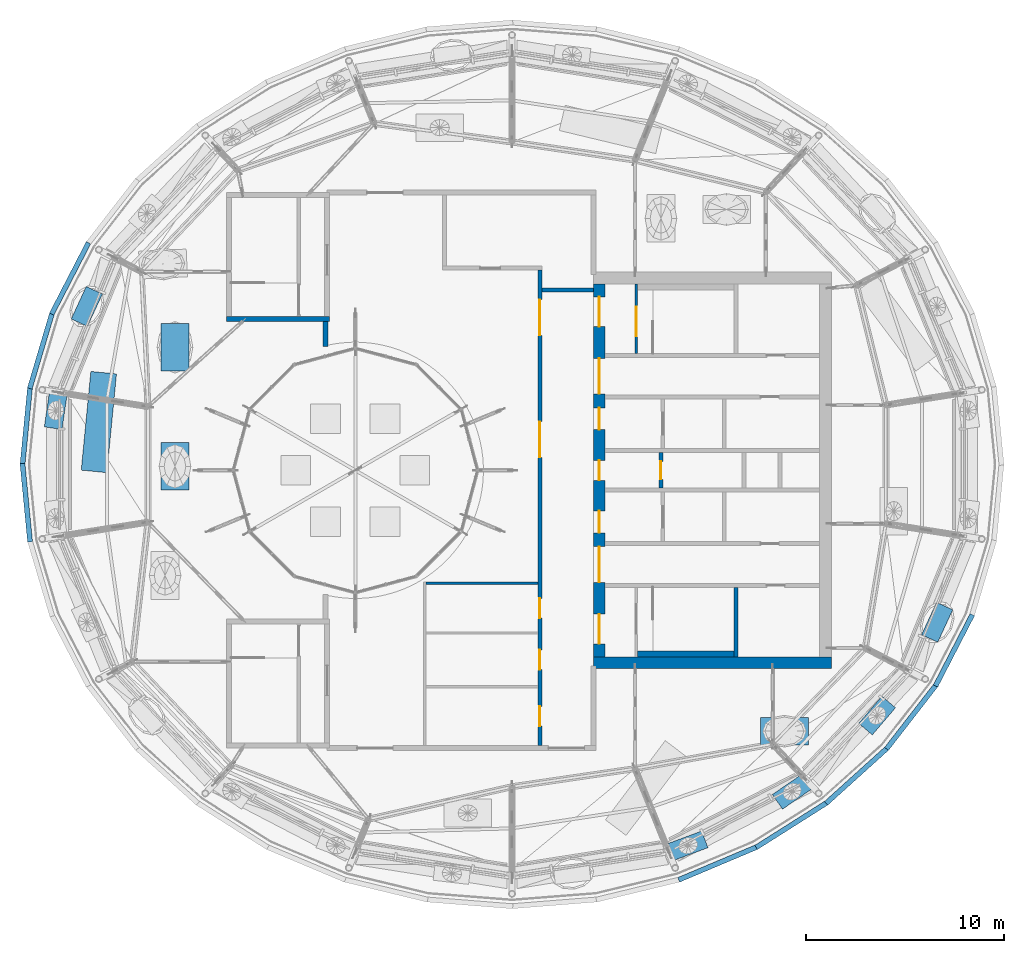
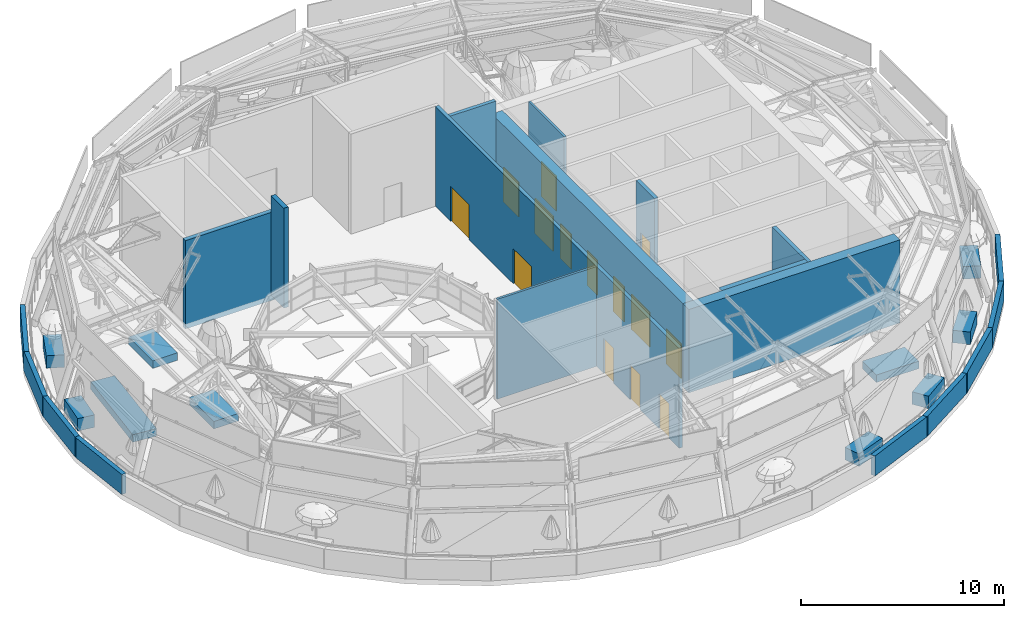
# One storey, part 17 of 40: 30 walls, 14 doors, 14 openings.
"""IFC4 building model written with IfcOpenShell, lengths in metres."""

from ifc_helpers import new_model, si_unit, direction, frame, frame_2d, origin, place, context, subcontext, project, spatial, rectangle, extrude, material, layer, layer_set, constituent, constituent_set, type_object, element, fill, save


model = new_model("IFC4")

# Units and contexts
model_context = context("Model", 3, precision=1e-05, world=origin(), true_north=direction((0.0, 1.0)))
body_context = subcontext(model_context, "Body", "Model", "MODEL_VIEW")
ifc_project = project(units=[si_unit("LENGTHUNIT", "METRE"), si_unit("AREAUNIT", "SQUARE_METRE"), si_unit("VOLUMEUNIT", "CUBIC_METRE"), si_unit("PLANEANGLEUNIT", "RADIAN"), si_unit("MASSUNIT", "GRAM", prefix="KILO")], contexts=[model_context])

# Site, building, storey
site_placement = place(None, origin())
site = spatial("IfcSite", under=ifc_project, at=site_placement, CompositionType="ELEMENT")
building_placement = place(site_placement, origin())
building = spatial("IfcBuilding", under=site, at=building_placement, Name="Taillehof Tower", CompositionType="ELEMENT")
storey_placement = place(building_placement, frame((0.0, 0.0, 275.199951171875)))
storey = spatial("IfcBuildingStorey", under=building, at=storey_placement, Name="L77", CompositionType="ELEMENT", Elevation=275.199951171875)

# Wall
ifc_material_1 = material(Name="Calcium silicate blockwork", Category="masonry")
ifc_layer_1 = layer(ifc_material_1, 0.199951171875)
ifc_layer_set_1 = layer_set([ifc_layer_1], Name="Compartment wall EI 60 200 mm")
wall_type_1 = type_object("IfcWallType", Name="Compartment wall EI 60 200 mm", PredefinedType="PARTITIONING", material=ifc_layer_set_1)
wall_1_placement = place(storey_placement, frame((1.39990234375, 9.10009765625, 0.0), z_axis=(0.0, 0.0, 1.0), x_axis=(1.0, 0.0, 0.0)))
element("IfcWall", 1, at=wall_1_placement, inside=storey, type_object=wall_type_1, Name="Wall L77-01 / L77-05", PredefinedType="PARTITIONING", context=body_context, shape_type="SweptSolid", body=[
    extrude(rectangle(XDim=2.60205078125, YDim=0.199951171875, at=frame_2d((1.301025390625, 0.0))), origin(), (0.0, 0.0, 1.0), 6.0),
])

# Wall, openings, doors
wall_2_placement = place(storey_placement, frame((1.300048828125, -13.875, 0.0), z_axis=(0.0, 0.0, 1.0), x_axis=(0.0, 1.0, 0.0)))
wall_2 = element("IfcWall", 2, at=wall_2_placement, inside=storey, type_object=wall_type_1, Name="Wall L77-01 / L77-02", PredefinedType="PARTITIONING", context=body_context, shape_type="SweptSolid", body=[
    extrude(rectangle(XDim=23.97509765625, YDim=0.199951171875, at=frame_2d((11.987548828125, 0.0))), origin(), (0.0, 0.0, 1.0), 6.0),
])
opening_1_placement = place(wall_2_placement, frame((20.675048828125, 0.0, 0.0)))
opening_1 = element("IfcOpeningElement", 3, at=opening_1_placement, cuts=wall_2, Name="Opening D7747", PredefinedType="OPENING", context=body_context, shape_type="SweptSolid", body=[
    extrude(rectangle(XDim=1.800048828125, YDim=2.10009765625, at=frame_2d((0.89990234375, 1.050048828125))), frame((0.0, 0.10986328125, 0.0), z_axis=(0.0, -1.0, 0.0), x_axis=(1.0, 0.0, 0.0)), (0.0, 0.0, 1.0), 0.219970703125),
])
opening_2_placement = place(wall_2_placement, frame((14.52490234375, 0.0, 0.0)))
opening_2 = element("IfcOpeningElement", 4, at=opening_2_placement, cuts=wall_2, Name="Opening D7746", PredefinedType="OPENING", context=body_context, shape_type="SweptSolid", body=[
    extrude(rectangle(XDim=1.800048828125, YDim=2.10009765625, at=frame_2d((0.89990234375, 1.050048828125))), frame((0.0, 0.10986328125, 0.0), z_axis=(0.0, -1.0, 0.0), x_axis=(1.0, 0.0, 0.0)), (0.0, 0.0, 1.0), 0.219970703125),
])
opening_3_placement = place(wall_2_placement, frame((0.97509765625, 0.0, 0.0)))
opening_3 = element("IfcOpeningElement", 5, at=opening_3_placement, cuts=wall_2, Name="Opening D7743", PredefinedType="OPENING", context=body_context, shape_type="SweptSolid", body=[
    extrude(rectangle(XDim=1.0, YDim=2.10009765625, at=frame_2d((0.5, 1.050048828125))), frame((0.0, 0.10986328125, 0.0), z_axis=(0.0, -1.0, 0.0), x_axis=(1.0, 0.0, 0.0)), (0.0, 0.0, 1.0), 0.219970703125),
])
opening_4_placement = place(wall_2_placement, frame((3.824951171875, 0.0, 0.0)))
opening_4 = element("IfcOpeningElement", 6, at=opening_4_placement, cuts=wall_2, Name="Opening D7744", PredefinedType="OPENING", context=body_context, shape_type="SweptSolid", body=[
    extrude(rectangle(XDim=1.0, YDim=2.10009765625, at=frame_2d((0.5, 1.050048828125))), frame((0.0, 0.10986328125, 0.0), z_axis=(0.0, -1.0, 0.0), x_axis=(1.0, 0.0, 0.0)), (0.0, 0.0, 1.0), 0.219970703125),
])
opening_5_placement = place(wall_2_placement, frame((6.425048828125, 0.0, 0.0)))
opening_5 = element("IfcOpeningElement", 7, at=opening_5_placement, cuts=wall_2, Name="Opening D7745", PredefinedType="OPENING", context=body_context, shape_type="SweptSolid", body=[
    extrude(rectangle(XDim=1.0, YDim=2.10009765625, at=frame_2d((0.5, 1.050048828125))), frame((0.0, 0.10986328125, 0.0), z_axis=(0.0, -1.0, 0.0), x_axis=(1.0, 0.0, 0.0)), (0.0, 0.0, 1.0), 0.219970703125),
])
ifc_material_2 = material(Name="Hollow metal door set")
door_type_1 = type_object("IfcDoorType", Name="Double door 1800 x 2100 FD60S", OperationType="DOUBLE_DOOR_SINGLE_SWING", PredefinedType="DOOR", material=ifc_material_2)
door_1_placement = place(opening_1_placement, origin())
door_1 = element("IfcDoor", 8, at=door_1_placement, inside=storey, type_object=door_type_1, Name="Door D7747", OperationType="DOUBLE_DOOR_SINGLE_SWING", OverallHeight=2.10009765625, OverallWidth=1.800048828125, PredefinedType="DOOR", context=body_context, shape_type="SweptSolid", body=[
    extrude(rectangle(XDim=1.800048828125, YDim=2.10009765625, at=frame_2d((0.89990234375, 1.050048828125))), frame((0.0, 0.02490234375, 0.0), z_axis=(0.0, -1.0, 0.0), x_axis=(1.0, 0.0, 0.0)), (0.0, 0.0, 1.0), 0.050048828125),
])
fill(opening_1, door_1)
door_2_placement = place(opening_2_placement, origin())
door_2 = element("IfcDoor", 9, at=door_2_placement, inside=storey, type_object=door_type_1, Name="Door D7746", OperationType="DOUBLE_DOOR_SINGLE_SWING", OverallHeight=2.10009765625, OverallWidth=1.800048828125, PredefinedType="DOOR", context=body_context, shape_type="SweptSolid", body=[
    extrude(rectangle(XDim=1.800048828125, YDim=2.10009765625, at=frame_2d((0.89990234375, 1.050048828125))), frame((0.0, 0.02490234375, 0.0), z_axis=(0.0, -1.0, 0.0), x_axis=(1.0, 0.0, 0.0)), (0.0, 0.0, 1.0), 0.050048828125),
])
fill(opening_2, door_2)
ifc_material_3 = material(Name="Hollow metal door set")
door_type_2 = type_object("IfcDoorType", Name="Single door 1000 x 2100 FD60S", OperationType="SINGLE_SWING_LEFT", PredefinedType="DOOR", material=ifc_material_3)
door_3_placement = place(opening_3_placement, origin())
door_3 = element("IfcDoor", 10, at=door_3_placement, inside=storey, type_object=door_type_2, Name="Door D7743", OperationType="SINGLE_SWING_RIGHT", OverallHeight=2.10009765625, OverallWidth=1.0, PredefinedType="DOOR", context=body_context, shape_type="SweptSolid", body=[
    extrude(rectangle(XDim=1.0, YDim=2.10009765625, at=frame_2d((0.5, 1.050048828125))), frame((0.0, 0.02490234375, 0.0), z_axis=(0.0, -1.0, 0.0), x_axis=(1.0, 0.0, 0.0)), (0.0, 0.0, 1.0), 0.050048828125),
])
fill(opening_3, door_3)
door_4_placement = place(opening_4_placement, origin())
door_4 = element("IfcDoor", 11, at=door_4_placement, inside=storey, type_object=door_type_2, Name="Door D7744", OperationType="SINGLE_SWING_LEFT", OverallHeight=2.10009765625, OverallWidth=1.0, PredefinedType="DOOR", context=body_context, shape_type="SweptSolid", body=[
    extrude(rectangle(XDim=1.0, YDim=2.10009765625, at=frame_2d((0.5, 1.050048828125))), frame((0.0, 0.02490234375, 0.0), z_axis=(0.0, -1.0, 0.0), x_axis=(1.0, 0.0, 0.0)), (0.0, 0.0, 1.0), 0.050048828125),
])
fill(opening_4, door_4)
door_5_placement = place(opening_5_placement, origin())
door_5 = element("IfcDoor", 12, at=door_5_placement, inside=storey, type_object=door_type_2, Name="Door D7745", OperationType="SINGLE_SWING_RIGHT", OverallHeight=2.10009765625, OverallWidth=1.0, PredefinedType="DOOR", context=body_context, shape_type="SweptSolid", body=[
    extrude(rectangle(XDim=1.0, YDim=2.10009765625, at=frame_2d((0.5, 1.050048828125))), frame((0.0, 0.02490234375, 0.0), z_axis=(0.0, -1.0, 0.0), x_axis=(1.0, 0.0, 0.0)), (0.0, 0.0, 1.0), 0.050048828125),
])
fill(opening_5, door_5)

# Wall, opening, door
ifc_material_4 = material(Name="Calcium silicate masonry", Category="masonry")
ifc_layer_2 = layer(ifc_material_4, 0.199951171875)
ifc_layer_set_2 = layer_set([ifc_layer_2], Name="Compartment wall calcium silicate 200")
wall_type_2 = type_object("IfcWallType", Name="Compartment wall calcium silicate 200", PredefinedType="PARTITIONING", material=ifc_layer_set_2)
wall_3_placement = place(storey_placement, frame((7.39990234375, -0.89990234375, 0.0), z_axis=(0.0, 0.0, 1.0), x_axis=(0.0, 1.0, 0.0)))
wall_3 = element("IfcWall", 13, at=wall_3_placement, inside=storey, type_object=wall_type_2, Name="Compartment wall FW", PredefinedType="PARTITIONING", context=body_context, shape_type="SweptSolid", body=[
    extrude(rectangle(XDim=1.7998046875, YDim=0.199951171875, at=frame_2d((0.89990234375, 0.0))), origin(), (0.0, 0.0, 1.0), 5.0),
])
opening_6_placement = place(wall_3_placement, frame((0.449951171875, 0.0, 0.0)))
opening_6 = element("IfcOpeningElement", 14, at=opening_6_placement, cuts=wall_3, Name="Opening D7716", PredefinedType="OPENING", context=body_context, shape_type="SweptSolid", body=[
    extrude(rectangle(XDim=0.89990234375, YDim=2.10009765625, at=frame_2d((0.449951171875, 1.050048828125))), frame((0.0, 0.10986328125, 0.0), z_axis=(0.0, -1.0, 0.0), x_axis=(1.0, 0.0, 0.0)), (0.0, 0.0, 1.0), 0.219970703125),
])
ifc_material_5 = material(Name="Steel-faced fire door", Category="steel")
door_type_3 = type_object("IfcDoorType", Name="Riser and service room door 900x2100", OperationType="SINGLE_SWING_LEFT", PredefinedType="DOOR", material=ifc_material_5)
door_6_placement = place(opening_6_placement, origin())
door_6 = element("IfcDoor", 15, at=door_6_placement, inside=storey, type_object=door_type_3, Name="Door Staff Pantry", OperationType="SINGLE_SWING_RIGHT", OverallHeight=2.10009765625, OverallWidth=0.89990234375, PredefinedType="DOOR", context=body_context, shape_type="SweptSolid", body=[
    extrude(rectangle(XDim=0.89990234375, YDim=2.10009765625, at=frame_2d((0.449951171875, 1.050048828125))), frame((0.0, 0.02490234375, 0.0), z_axis=(0.0, -1.0, 0.0), x_axis=(1.0, 0.0, 0.0)), (0.0, 0.0, 1.0), 0.050048828125),
])
fill(opening_6, door_6)

# Wall
ifc_material_6 = material(Name="Calcium silicate masonry", Category="masonry")
ifc_layer_3 = layer(ifc_material_6, 0.300048828125)
ifc_layer_set_3 = layer_set([ifc_layer_3], Name="Compartment wall lining calcium silicate 300")
wall_type_3 = type_object("IfcWallType", Name="Compartment wall lining calcium silicate 300", PredefinedType="PARTITIONING", material=ifc_layer_set_3)
wall_4_placement = place(storey_placement, frame((6.219970703125, -9.25, 0.0), z_axis=(0.0, 0.0, 1.0), x_axis=(1.0, 0.0, 0.0)))
element("IfcWall", 16, at=wall_4_placement, inside=storey, type_object=wall_type_3, Name="Compartment wall FW", PredefinedType="PARTITIONING", context=body_context, shape_type="SweptSolid", body=[
    extrude(rectangle(XDim=4.880126953125, YDim=0.300048828125, at=frame_2d((2.43994140625, 0.0))), origin(), (0.0, 0.0, 1.0), 5.0),
])

# Wall, openings, doors
ifc_material_7 = material(Name="Concrete C80/95", Category="concrete")
ifc_layer_4 = layer(ifc_material_7, 0.60009765625)
ifc_layer_set_4 = layer_set([ifc_layer_4], Name="Core wall C80/95 600")
wall_type_4 = type_object("IfcWallType", Name="Core wall C80/95 600", PredefinedType="SHEAR", material=ifc_layer_set_4)
wall_5_placement = place(storey_placement, frame((4.300048828125, -9.39990234375, 0.0), z_axis=(0.0, 0.0, 1.0), x_axis=(0.0, 1.0, 0.0)))
wall_5 = element("IfcWall", 17, at=wall_5_placement, inside=storey, type_object=wall_type_4, Name="Core wall CW01", PredefinedType="SHEAR", context=body_context, shape_type="SweptSolid", body=[
    extrude(rectangle(XDim=18.7998046875, YDim=0.60009765625, at=frame_2d((9.39990234375, 0.0))), origin(), (0.0, 0.0, 1.0), 5.0),
])
opening_7_placement = place(wall_5_placement, frame((0.64990234375, 0.0, 0.0)))
opening_7 = element("IfcOpeningElement", 18, at=opening_7_placement, cuts=wall_5, Name="Opening D7701", PredefinedType="OPENING", context=body_context, shape_type="SweptSolid", body=[
    extrude(rectangle(XDim=1.5, YDim=2.10009765625, at=frame_2d((0.75, 1.050048828125))), frame((0.0, 0.31005859375, 0.0), z_axis=(0.0, -1.0, 0.0), x_axis=(1.0, 0.0, 0.0)), (0.0, 0.0, 1.0), 0.6201171875),
])
opening_8_placement = place(wall_5_placement, frame((3.75, 0.0, 0.0)))
opening_8 = element("IfcOpeningElement", 19, at=opening_8_placement, cuts=wall_5, Name="Opening D7702", PredefinedType="OPENING", context=body_context, shape_type="SweptSolid", body=[
    extrude(rectangle(XDim=1.800048828125, YDim=2.10009765625, at=frame_2d((0.89990234375, 1.050048828125))), frame((0.0, 0.31005859375, 0.0), z_axis=(0.0, -1.0, 0.0), x_axis=(1.0, 0.0, 0.0)), (0.0, 0.0, 1.0), 0.6201171875),
])
opening_9_placement = place(wall_5_placement, frame((6.25, 0.0, 0.0)))
opening_9 = element("IfcOpeningElement", 20, at=opening_9_placement, cuts=wall_5, Name="Opening D7703", PredefinedType="OPENING", context=body_context, shape_type="SweptSolid", body=[
    extrude(rectangle(XDim=1.10009765625, YDim=2.10009765625, at=frame_2d((0.550048828125, 1.050048828125))), frame((0.0, 0.31005859375, 0.0), z_axis=(0.0, -1.0, 0.0), x_axis=(1.0, 0.0, 0.0)), (0.0, 0.0, 1.0), 0.6201171875),
])
opening_10_placement = place(wall_5_placement, frame((8.89990234375, 0.0, 0.0)))
opening_10 = element("IfcOpeningElement", 21, at=opening_10_placement, cuts=wall_5, Name="Opening D7704", PredefinedType="OPENING", context=body_context, shape_type="SweptSolid", body=[
    extrude(rectangle(XDim=1.0, YDim=2.10009765625, at=frame_2d((0.5, 1.050048828125))), frame((0.0, 0.31005859375, 0.0), z_axis=(0.0, -1.0, 0.0), x_axis=(1.0, 0.0, 0.0)), (0.0, 0.0, 1.0), 0.6201171875),
])
opening_11_placement = place(wall_5_placement, frame((11.449951171875, 0.0, 0.0)))
opening_11 = element("IfcOpeningElement", 22, at=opening_11_placement, cuts=wall_5, Name="Opening D7705", PredefinedType="OPENING", context=body_context, shape_type="SweptSolid", body=[
    extrude(rectangle(XDim=1.10009765625, YDim=2.10009765625, at=frame_2d((0.550048828125, 1.050048828125))), frame((0.0, 0.31005859375, 0.0), z_axis=(0.0, -1.0, 0.0), x_axis=(1.0, 0.0, 0.0)), (0.0, 0.0, 1.0), 0.6201171875),
])
opening_12_placement = place(wall_5_placement, frame((13.25, 0.0, 0.0)))
opening_12 = element("IfcOpeningElement", 23, at=opening_12_placement, cuts=wall_5, Name="Opening D7706", PredefinedType="OPENING", context=body_context, shape_type="SweptSolid", body=[
    extrude(rectangle(XDim=1.800048828125, YDim=2.10009765625, at=frame_2d((0.89990234375, 1.050048828125))), frame((0.0, 0.31005859375, 0.0), z_axis=(0.0, -1.0, 0.0), x_axis=(1.0, 0.0, 0.0)), (0.0, 0.0, 1.0), 0.6201171875),
])
opening_13_placement = place(wall_5_placement, frame((16.64990234375, 0.0, 0.0)))
opening_13 = element("IfcOpeningElement", 24, at=opening_13_placement, cuts=wall_5, Name="Opening D7707", PredefinedType="OPENING", context=body_context, shape_type="SweptSolid", body=[
    extrude(rectangle(XDim=1.5, YDim=2.10009765625, at=frame_2d((0.75, 1.050048828125))), frame((0.0, 0.31005859375, 0.0), z_axis=(0.0, -1.0, 0.0), x_axis=(1.0, 0.0, 0.0)), (0.0, 0.0, 1.0), 0.6201171875),
])
ifc_material_8 = material(Name="Steel-faced fire door", Category="steel")
door_type_4 = type_object("IfcDoorType", Name="Firefighting lobby door 1100x2100", OperationType="SINGLE_SWING_RIGHT", PredefinedType="DOOR", material=ifc_material_8)
door_7_placement = place(opening_9_placement, origin())
door_7 = element("IfcDoor", 25, at=door_7_placement, inside=storey, type_object=door_type_4, Name="Firefighting lobby door FFL-S", OperationType="SINGLE_SWING_RIGHT", OverallHeight=2.10009765625, OverallWidth=1.10009765625, PredefinedType="DOOR", context=body_context, shape_type="SweptSolid", body=[
    extrude(rectangle(XDim=1.10009765625, YDim=2.10009765625, at=frame_2d((0.550048828125, 1.050048828125))), frame((0.0, 0.02490234375, 0.0), z_axis=(0.0, -1.0, 0.0), x_axis=(1.0, 0.0, 0.0)), (0.0, 0.0, 1.0), 0.050048828125),
])
fill(opening_9, door_7)
door_8_placement = place(opening_11_placement, origin())
door_8 = element("IfcDoor", 26, at=door_8_placement, inside=storey, type_object=door_type_4, Name="Firefighting lobby door FFL-N", OperationType="SINGLE_SWING_LEFT", OverallHeight=2.10009765625, OverallWidth=1.10009765625, PredefinedType="DOOR", context=body_context, shape_type="SweptSolid", body=[
    extrude(rectangle(XDim=1.10009765625, YDim=2.10009765625, at=frame_2d((0.550048828125, 1.050048828125))), frame((0.0, 0.02490234375, 0.0), z_axis=(0.0, -1.0, 0.0), x_axis=(1.0, 0.0, 0.0)), (0.0, 0.0, 1.0), 0.050048828125),
])
fill(opening_11, door_8)
ifc_material_9 = material(Name="Steel-faced fire door", Category="steel")
door_type_5 = type_object("IfcDoorType", Name="Lift lobby door 1800x2100", OperationType="DOUBLE_DOOR_SINGLE_SWING", PredefinedType="DOOR", material=ifc_material_9)
door_9_placement = place(opening_8_placement, origin())
door_9 = element("IfcDoor", 27, at=door_9_placement, inside=storey, type_object=door_type_5, Name="Lift lobby door LL-S", OperationType="DOUBLE_DOOR_SINGLE_SWING", OverallHeight=2.10009765625, OverallWidth=1.800048828125, PredefinedType="DOOR", context=body_context, shape_type="SweptSolid", body=[
    extrude(rectangle(XDim=1.800048828125, YDim=2.10009765625, at=frame_2d((0.89990234375, 1.050048828125))), frame((0.0, 0.02490234375, 0.0), z_axis=(0.0, -1.0, 0.0), x_axis=(1.0, 0.0, 0.0)), (0.0, 0.0, 1.0), 0.050048828125),
])
fill(opening_8, door_9)
door_10_placement = place(opening_12_placement, origin())
door_10 = element("IfcDoor", 28, at=door_10_placement, inside=storey, type_object=door_type_5, Name="Lift lobby door LL-N", OperationType="DOUBLE_DOOR_SINGLE_SWING", OverallHeight=2.10009765625, OverallWidth=1.800048828125, PredefinedType="DOOR", context=body_context, shape_type="SweptSolid", body=[
    extrude(rectangle(XDim=1.800048828125, YDim=2.10009765625, at=frame_2d((0.89990234375, 1.050048828125))), frame((0.0, 0.02490234375, 0.0), z_axis=(0.0, -1.0, 0.0), x_axis=(1.0, 0.0, 0.0)), (0.0, 0.0, 1.0), 0.050048828125),
])
fill(opening_12, door_10)
ifc_material_10 = material(Name="Steel-faced fire door", Category="steel")
door_type_6 = type_object("IfcDoorType", Name="Service door 1000x2100", OperationType="SINGLE_SWING_RIGHT", PredefinedType="DOOR", material=ifc_material_10)
door_11_placement = place(opening_10_placement, origin())
door_11 = element("IfcDoor", 29, at=door_11_placement, inside=storey, type_object=door_type_6, Name="Service door SV", OperationType="SINGLE_SWING_RIGHT", OverallHeight=2.10009765625, OverallWidth=1.0, PredefinedType="DOOR", context=body_context, shape_type="SweptSolid", body=[
    extrude(rectangle(XDim=1.0, YDim=2.10009765625, at=frame_2d((0.5, 1.050048828125))), frame((0.0, 0.02490234375, 0.0), z_axis=(0.0, -1.0, 0.0), x_axis=(1.0, 0.0, 0.0)), (0.0, 0.0, 1.0), 0.050048828125),
])
fill(opening_10, door_11)
ifc_material_11 = material(Name="Steel-faced fire door", Category="steel")
door_type_7 = type_object("IfcDoorType", Name="Stair door 1500x2100", OperationType="DOUBLE_DOOR_SINGLE_SWING", PredefinedType="DOOR", material=ifc_material_11)
door_12_placement = place(opening_7_placement, origin())
door_12 = element("IfcDoor", 30, at=door_12_placement, inside=storey, type_object=door_type_7, Name="Stair door S2", OperationType="DOUBLE_DOOR_SINGLE_SWING", OverallHeight=2.10009765625, OverallWidth=1.5, PredefinedType="DOOR", context=body_context, shape_type="SweptSolid", body=[
    extrude(rectangle(XDim=1.5, YDim=2.10009765625, at=frame_2d((0.75, 1.050048828125))), frame((0.0, 0.02490234375, 0.0), z_axis=(0.0, -1.0, 0.0), x_axis=(1.0, 0.0, 0.0)), (0.0, 0.0, 1.0), 0.050048828125),
])
fill(opening_7, door_12)
door_13_placement = place(opening_13_placement, origin())
door_13 = element("IfcDoor", 31, at=door_13_placement, inside=storey, type_object=door_type_7, Name="Stair door S1", OperationType="DOUBLE_DOOR_SINGLE_SWING", OverallHeight=2.10009765625, OverallWidth=1.5, PredefinedType="DOOR", context=body_context, shape_type="SweptSolid", body=[
    extrude(rectangle(XDim=1.5, YDim=2.10009765625, at=frame_2d((0.75, 1.050048828125))), frame((0.0, 0.02490234375, 0.0), z_axis=(0.0, -1.0, 0.0), x_axis=(1.0, 0.0, 0.0)), (0.0, 0.0, 1.0), 0.050048828125),
])
fill(opening_13, door_13)

# Walls
wall_6_placement = place(storey_placement, frame((4.0, -9.699951171875, 0.0), z_axis=(0.0, 0.0, 1.0), x_axis=(1.0, 0.0, 0.0)))
element("IfcWall", 32, at=wall_6_placement, inside=storey, type_object=wall_type_4, Name="Core wall CW07", PredefinedType="SHEAR", context=body_context, shape_type="SweptSolid", body=[
    extrude(rectangle(XDim=12.0, YDim=0.60009765625, at=frame_2d((6.0, 0.0))), origin(), (0.0, 0.0, 1.0), 5.0),
])
ifc_material_12 = material(Name="Calcium silicate blockwork", Category="masonry")
ifc_layer_5 = layer(ifc_material_12, 0.25)
ifc_layer_set_5 = layer_set([ifc_layer_5], Name="Fire-resisting wall EI 120 250 mm")
wall_type_5 = type_object("IfcWallType", Name="Fire-resisting wall EI 120 250 mm", PredefinedType="PARTITIONING", material=ifc_layer_set_5)
wall_7_placement = place(storey_placement, frame((-9.5, 6.24951171875, 0.0), z_axis=(0.0, 0.0, 1.0), x_axis=(0.0, 1.0, 0.0)))
element("IfcWall", 33, at=wall_7_placement, inside=storey, type_object=wall_type_5, Name="Wall L77-06 / TERR", PredefinedType="PARTITIONING", context=body_context, shape_type="SweptSolid", body=[
    extrude(rectangle(XDim=1.25244140625, YDim=0.25, at=frame_2d((0.626220703125, 0.0))), origin(), (0.0, 0.0, 1.0), 6.0),
])
ifc_material_13 = material(Name="Concrete C30/37 precast", Category="concrete")
ifc_constituent_1 = constituent(ifc_material_13, Name="Structure", Category="concrete")
ifc_material_14 = material(Name="Insulated lining")
ifc_constituent_2 = constituent(ifc_material_14, Name="Lining")
ifc_constituent_set_1 = constituent_set(constituents=[ifc_constituent_1, ifc_constituent_2], Name="Ground-cover bed 1300x450")
wall_type_6 = type_object("IfcWallType", Name="Ground-cover bed 1300x450", PredefinedType="USERDEFINED", material=ifc_constituent_set_1)
wall_8_placement = place(storey_placement, frame((-21.1689453125, -0.05419921875, 0.0), z_axis=(0.0, 0.0, 1.0), x_axis=(0.096776723078, 0.995306116665, 0.0)))
element("IfcWall", 34, at=wall_8_placement, inside=storey, type_object=wall_type_6, Name="Ground-cover bed SGC01", ObjectType="PLANTER", PredefinedType="USERDEFINED", context=body_context, shape_type="SweptSolid", body=[
    extrude(rectangle(XDim=5.0, YDim=1.300048828125, at=frame_2d((2.5, 0.0))), origin(), (0.0, 0.0, 1.0), 0.449951171875),
])
ifc_material_15 = material(Name="Brick masonry", Category="masonry")
ifc_constituent_3 = constituent(ifc_material_15, Name="Wall", Category="masonry")
ifc_material_16 = material(Name="Concrete C30/37 precast", Category="concrete")
ifc_constituent_4 = constituent(ifc_material_16, Name="Coping", Category="concrete")
ifc_constituent_set_2 = constituent_set(constituents=[ifc_constituent_3, ifc_constituent_4], Name="Parapet 250")
wall_type_7 = type_object("IfcWallType", Name="Parapet 250", PredefinedType="PARAPET", material=ifc_constituent_set_2)
wall_9_placement = place(storey_placement, frame((-21.45263671875, 11.46923828125, 0.0), z_axis=(0.0, 0.0, 1.0), x_axis=(-0.458747525534, -0.888566659186, 0.0)))
element("IfcWall", 35, at=wall_9_placement, inside=storey, type_object=wall_type_7, Name="Roof parapet 16", PredefinedType="PARAPET", context=body_context, shape_type="SweptSolid", body=[
    extrude(rectangle(XDim=4.04248046875, YDim=0.25, at=frame_2d((2.021240234375, 0.0))), origin(), (0.0, 0.0, 1.0), 1.199951171875),
])
wall_10_placement = place(storey_placement, frame((-23.27587890625, 7.95458984375, 0.0), z_axis=(0.0, 0.0, 1.0), x_axis=(-0.284419225596, -0.95870000736, 0.0)))
element("IfcWall", 36, at=wall_10_placement, inside=storey, type_object=wall_type_7, Name="Roof parapet 17", PredefinedType="PARAPET", context=body_context, shape_type="SweptSolid", body=[
    extrude(rectangle(XDim=3.994140625, YDim=0.25, at=frame_2d((1.9970703125, 0.0))), origin(), (0.0, 0.0, 1.0), 1.199951171875),
])
wall_11_placement = place(storey_placement, frame((-24.39599609375, 4.20751953125, 0.0), z_axis=(0.0, 0.0, 1.0), x_axis=(-0.09641464722, -0.995341255953, 0.0)))
element("IfcWall", 37, at=wall_11_placement, inside=storey, type_object=wall_type_7, Name="Roof parapet 18", PredefinedType="PARAPET", context=body_context, shape_type="SweptSolid", body=[
    extrude(rectangle(XDim=3.968017578125, YDim=0.25, at=frame_2d((1.98388671875, 0.0))), origin(), (0.0, 0.0, 1.0), 1.199951171875),
])
wall_12_placement = place(storey_placement, frame((-24.778564453125, 0.341796875, 0.0), z_axis=(0.0, 0.0, 1.0), x_axis=(0.09642055216, -0.995340683948, 0.0)))
element("IfcWall", 38, at=wall_12_placement, inside=storey, type_object=wall_type_7, Name="Roof parapet 19", PredefinedType="PARAPET", context=body_context, shape_type="SweptSolid", body=[
    extrude(rectangle(XDim=3.9677734375, YDim=0.25, at=frame_2d((1.98388671875, 0.0))), origin(), (0.0, 0.0, 1.0), 1.199951171875),
])
wall_13_placement = place(storey_placement, frame((8.305908203125, -20.6455078125, 0.0), z_axis=(0.0, 0.0, 1.0), x_axis=(0.92159912782, 0.3881430762, 0.0)))
element("IfcWall", 39, at=wall_13_placement, inside=storey, type_object=wall_type_7, Name="Roof parapet 30", PredefinedType="PARAPET", context=body_context, shape_type="SweptSolid", body=[
    extrude(rectangle(XDim=4.31103515625, YDim=0.25, at=frame_2d((2.155517578125, 0.0))), origin(), (0.0, 0.0, 1.0), 1.199951171875),
])
wall_14_placement = place(storey_placement, frame((12.207763671875, -19.009521484375, 0.0), z_axis=(0.0, 0.0, 1.0), x_axis=(0.845162513097, 0.534509425975, 0.0)))
element("IfcWall", 40, at=wall_14_placement, inside=storey, type_object=wall_type_7, Name="Roof parapet 31", PredefinedType="PARAPET", context=body_context, shape_type="SweptSolid", body=[
    extrude(rectangle(XDim=4.25, YDim=0.25, at=frame_2d((2.125, 0.0))), origin(), (0.0, 0.0, 1.0), 1.199951171875),
])
wall_15_placement = place(storey_placement, frame((15.735107421875, -16.78662109375, 0.0), z_axis=(0.0, 0.0, 1.0), x_axis=(0.742122328142, 0.670264462786, 0.0)))
element("IfcWall", 41, at=wall_15_placement, inside=storey, type_object=wall_type_7, Name="Roof parapet 32", PredefinedType="PARAPET", context=body_context, shape_type="SweptSolid", body=[
    extrude(rectangle(XDim=4.178955078125, YDim=0.25, at=frame_2d((2.08935546875, 0.0))), origin(), (0.0, 0.0, 1.0), 1.199951171875),
])
wall_16_placement = place(storey_placement, frame((18.78076171875, -14.045654296875, 0.0), z_axis=(0.0, 0.0, 1.0), x_axis=(0.612697000034, 0.790317901955, 0.0)))
element("IfcWall", 42, at=wall_16_placement, inside=storey, type_object=wall_type_7, Name="Roof parapet 33", PredefinedType="PARAPET", context=body_context, shape_type="SweptSolid", body=[
    extrude(rectangle(XDim=4.10693359375, YDim=0.25, at=frame_2d((2.053466796875, 0.0))), origin(), (0.0, 0.0, 1.0), 1.199951171875),
])
wall_17_placement = place(storey_placement, frame((21.252685546875, -10.869384765625, 0.0), z_axis=(0.0, 0.0, 1.0), x_axis=(0.458747525534, 0.888566659186, 0.0)))
element("IfcWall", 43, at=wall_17_placement, inside=storey, type_object=wall_type_7, Name="Roof parapet 34", PredefinedType="PARAPET", context=body_context, shape_type="SweptSolid", body=[
    extrude(rectangle(XDim=4.04248046875, YDim=0.25, at=frame_2d((2.021240234375, 0.0))), origin(), (0.0, 0.0, 1.0), 1.199951171875),
])
ifc_material_17 = material(Name="Gypsum board partition on steel studs", Category="steel")
ifc_layer_6 = layer(ifc_material_17, 0.125)
ifc_layer_set_6 = layer_set([ifc_layer_6], Name="Partition wall EI 30 125 mm")
wall_type_8 = type_object("IfcWallType", Name="Partition wall EI 30 125 mm", PredefinedType="PARTITIONING", material=ifc_layer_set_6)
wall_18_placement = place(storey_placement, frame((-4.4375, -5.699951171875, 0.0), z_axis=(0.0, 0.0, 1.0), x_axis=(1.0, 0.0, 0.0)))
element("IfcWall", 44, at=wall_18_placement, inside=storey, type_object=wall_type_8, Name="Wall L77-04 / L77-06", PredefinedType="PARTITIONING", context=body_context, shape_type="SweptSolid", body=[
    extrude(rectangle(XDim=5.637451171875, YDim=0.125, at=frame_2d((2.81884765625, 0.0))), origin(), (0.0, 0.0, 1.0), 6.0),
])
ifc_material_18 = material(Name="Concrete C30/37 precast", Category="concrete")
ifc_constituent_5 = constituent(ifc_material_18, Name="Structure", Category="concrete")
ifc_material_19 = material(Name="Insulated lining")
ifc_constituent_6 = constituent(ifc_material_19, Name="Lining")
ifc_constituent_set_3 = constituent_set(constituents=[ifc_constituent_5, ifc_constituent_6], Name="Raised tree bed 1400x450")
wall_type_9 = type_object("IfcWallType", Name="Raised tree bed 1400x450", PredefinedType="USERDEFINED", material=ifc_constituent_set_3)
for number, where, z_axis, x_axis, name in (
    (45, (-17.090087890625, -1.0, 0.0), (0.0, 0.0, 1.0), (0.0, 1.0, 0.0), "Raised tree bed SGB01"),
    (46, (-17.090087890625, 5.0, 0.0), (0.0, 0.0, 1.0), (0.0, 1.0, 0.0), "Raised tree bed SGB03"),
    (47, (12.436767578125, -13.14990234375, 0.0), (0.0, 0.0, 1.0), (1.0, 0.0, 0.0), "Raised tree bed SGB07"),
):
    element("IfcWall", number, at=place(storey_placement, frame(where, z_axis=z_axis, x_axis=x_axis)), inside=storey, type_object=wall_type_9, Name=name, ObjectType="PLANTER", PredefinedType="USERDEFINED", context=body_context, shape_type="SweptSolid", body=[
        extrude(rectangle(XDim=2.39990234375, YDim=1.39990234375, at=frame_2d((1.199951171875, 0.0))), origin(), (0.0, 0.0, 1.0), 0.449951171875),
    ])
ifc_material_20 = material(Name="Concrete C30/37 precast", Category="concrete")
ifc_constituent_7 = constituent(ifc_material_20, Name="Structure", Category="concrete")
ifc_material_21 = material(Name="Insulated lining")
ifc_constituent_8 = constituent(ifc_material_21, Name="Lining")
ifc_constituent_set_4 = constituent_set(constituents=[ifc_constituent_7, ifc_constituent_8], Name="Roof planter 900x750")
wall_type_10 = type_object("IfcWallType", Name="Roof planter 900x750", PredefinedType="USERDEFINED", material=ifc_constituent_set_4)
for number, where, z_axis, x_axis, name in (
    (48, (-21.156494140625, 9.076904296875, 0.0), (0.0, 0.0, 1.0), (-0.419384998808, -0.907808472517, 0.0), "Roof planter 11"),
    (49, (-22.970703125, 3.905517578125, 0.0), (0.0, 0.0, 1.0), (-0.145255807596, -0.989394132972, 0.0), "Roof planter 12"),
    (50, (7.9345703125, -19.22998046875, 0.0), (0.0, 0.0, 1.0), (0.937439184, 0.348149071952, 0.0), "Roof planter 20"),
    (51, (13.28173828125, -16.7119140625, 0.0), (0.0, 0.0, 1.0), (0.823843998659, 0.566816606914, 0.0), "Roof planter 21"),
):
    element("IfcWall", number, at=place(storey_placement, frame(where, z_axis=z_axis, x_axis=x_axis)), inside=storey, type_object=wall_type_10, Name=name, ObjectType="PLANTER", PredefinedType="USERDEFINED", context=body_context, shape_type="SweptSolid", body=[
        extrude(rectangle(XDim=1.800048828125, YDim=0.89990234375, at=frame_2d((0.89990234375, 0.0))), origin(), (0.0, 0.0, 1.0), 0.75),
    ])
wall_19_placement = place(storey_placement, frame((17.720703125, -13.0458984375, 0.0), z_axis=(0.0, 0.0, 1.0), x_axis=(0.650255036817, 0.759715991075, 0.0)))
element("IfcWall", 52, at=wall_19_placement, inside=storey, type_object=wall_type_10, Name="Roof planter 22", ObjectType="PLANTER", PredefinedType="USERDEFINED", context=body_context, shape_type="SweptSolid", body=[
    extrude(rectangle(XDim=1.7998046875, YDim=0.89990234375, at=frame_2d((0.89990234375, 0.0))), origin(), (0.0, 0.0, 1.0), 0.75),
])
wall_20_placement = place(storey_placement, frame((20.95654296875, -8.476806640625, 0.0), z_axis=(0.0, 0.0, 1.0), x_axis=(0.419384998808, 0.907808472517, 0.0)))
element("IfcWall", 53, at=wall_20_placement, inside=storey, type_object=wall_type_10, Name="Roof planter 23", ObjectType="PLANTER", PredefinedType="USERDEFINED", context=body_context, shape_type="SweptSolid", body=[
    extrude(rectangle(XDim=1.800048828125, YDim=0.89990234375, at=frame_2d((0.89990234375, 0.0))), origin(), (0.0, 0.0, 1.0), 0.75),
])
ifc_material_22 = material(Name="Concrete C50/60", Category="concrete")
ifc_layer_7 = layer(ifc_material_22, 0.199951171875)
ifc_layer_set_7 = layer_set([ifc_layer_7], Name="Shaft wall C50/60 200")
wall_type_11 = type_object("IfcWallType", Name="Shaft wall C50/60 200", PredefinedType="SHEAR", material=ifc_layer_set_7)
wall_21_placement = place(storey_placement, frame((11.199951171875, -9.39990234375, 0.0), z_axis=(0.0, 0.0, 1.0), x_axis=(0.0, 1.0, 0.0)))
element("IfcWall", 54, at=wall_21_placement, inside=storey, type_object=wall_type_11, Name="Shaft wall SW", PredefinedType="SHEAR", context=body_context, shape_type="SweptSolid", body=[
    extrude(rectangle(XDim=3.5, YDim=0.199951171875, at=frame_2d((1.75, 0.0))), origin(), (0.0, 0.0, 1.0), 5.0),
])

# Wall, opening, door
ifc_material_23 = material(Name="Concrete C50/60", Category="concrete")
ifc_layer_8 = layer(ifc_material_23, 0.1201171875)
ifc_layer_set_8 = layer_set([ifc_layer_8], Name="Stair lobby wall C50/60 120")
wall_type_12 = type_object("IfcWallType", Name="Stair lobby wall C50/60 120", PredefinedType="SHEAR", material=ifc_layer_set_8)
wall_22_placement = place(storey_placement, frame((6.159912109375, 5.89990234375, 0.0), z_axis=(0.0, 0.0, 1.0), x_axis=(0.0, 1.0, 0.0)))
wall_22 = element("IfcWall", 55, at=wall_22_placement, inside=storey, type_object=wall_type_12, Name="Compartment wall SW", PredefinedType="SHEAR", context=body_context, shape_type="SweptSolid", body=[
    extrude(rectangle(XDim=3.5, YDim=0.1201171875, at=frame_2d((1.75, 0.0))), origin(), (0.0, 0.0, 1.0), 5.0),
])
opening_14_placement = place(wall_22_placement, frame((0.85009765625, 0.0, 0.0)))
opening_14 = element("IfcOpeningElement", 56, at=opening_14_placement, cuts=wall_22, Name="Opening D7708", PredefinedType="OPENING", context=body_context, shape_type="SweptSolid", body=[
    extrude(rectangle(XDim=1.5, YDim=2.10009765625, at=frame_2d((0.75, 1.050048828125))), frame((0.0, 0.070068359375, 0.0), z_axis=(0.0, -1.0, 0.0), x_axis=(1.0, 0.0, 0.0)), (0.0, 0.0, 1.0), 0.14013671875),
])
door_14_placement = place(opening_14_placement, origin())
door_14 = element("IfcDoor", 57, at=door_14_placement, inside=storey, type_object=door_type_7, Name="Stair lobby door S1", OperationType="DOUBLE_DOOR_SINGLE_SWING", OverallHeight=2.10009765625, OverallWidth=1.5, PredefinedType="DOOR", context=body_context, shape_type="SweptSolid", body=[
    extrude(rectangle(XDim=1.5, YDim=2.10009765625, at=frame_2d((0.75, 1.050048828125))), frame((0.0, 0.02490234375, 0.0), z_axis=(0.0, -1.0, 0.0), x_axis=(1.0, 0.0, 0.0)), (0.0, 0.0, 1.0), 0.050048828125),
])
fill(opening_14, door_14)

# Wall
ifc_material_24 = material(Name="Concrete C50/60", Category="concrete")
ifc_layer_9 = layer(ifc_material_24, 0.25)
ifc_layer_set_9 = layer_set([ifc_layer_9], Name="Stair wall C50/60 250")
wall_type_13 = type_object("IfcWallType", Name="Stair wall C50/60 250", PredefinedType="SHEAR", material=ifc_layer_set_9)
wall_23_placement = place(storey_placement, frame((-14.5, 7.625, -0.300048828125), z_axis=(0.0, 0.0, 1.0), x_axis=(1.0, 0.0, 0.0)))
element("IfcWall", 58, at=wall_23_placement, inside=storey, type_object=wall_type_13, Name="Stair wall SC", PredefinedType="SHEAR", context=body_context, shape_type="SweptSolid", body=[
    extrude(rectangle(XDim=5.199951171875, YDim=0.25, at=frame_2d((2.60009765625, 0.0))), origin(), (0.0, 0.0, 1.0), 5.300048828125),
])

save(model, "model.ifc")
